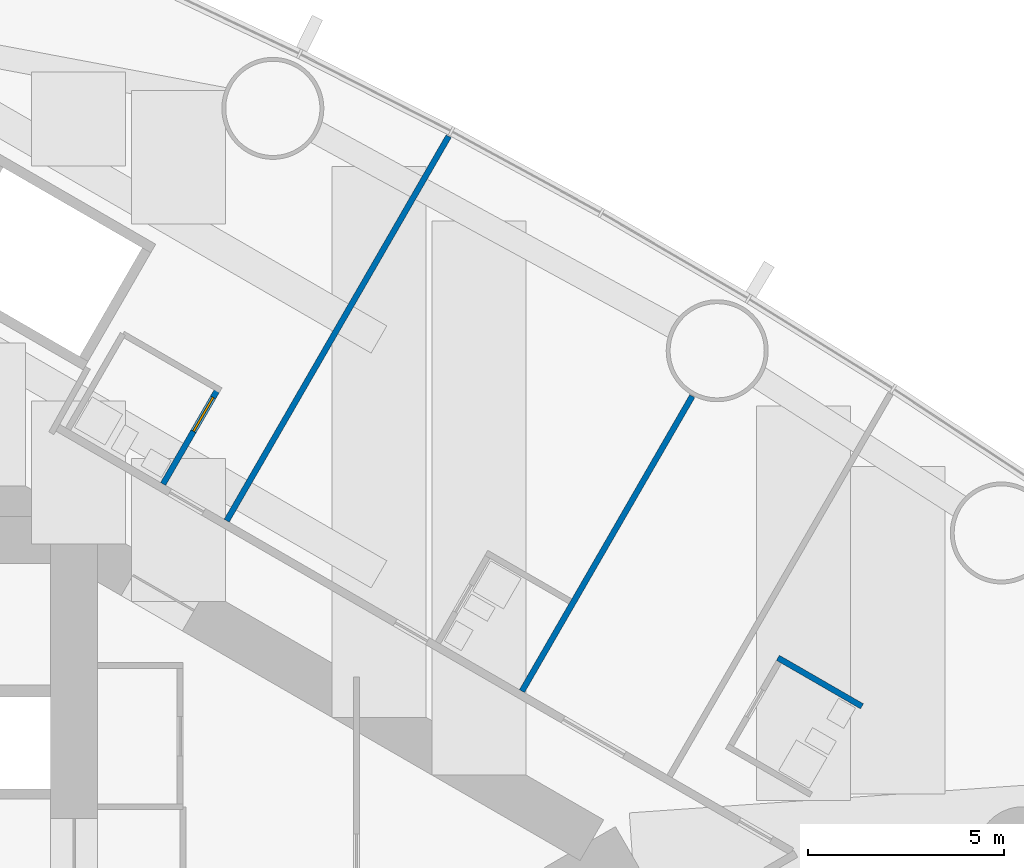
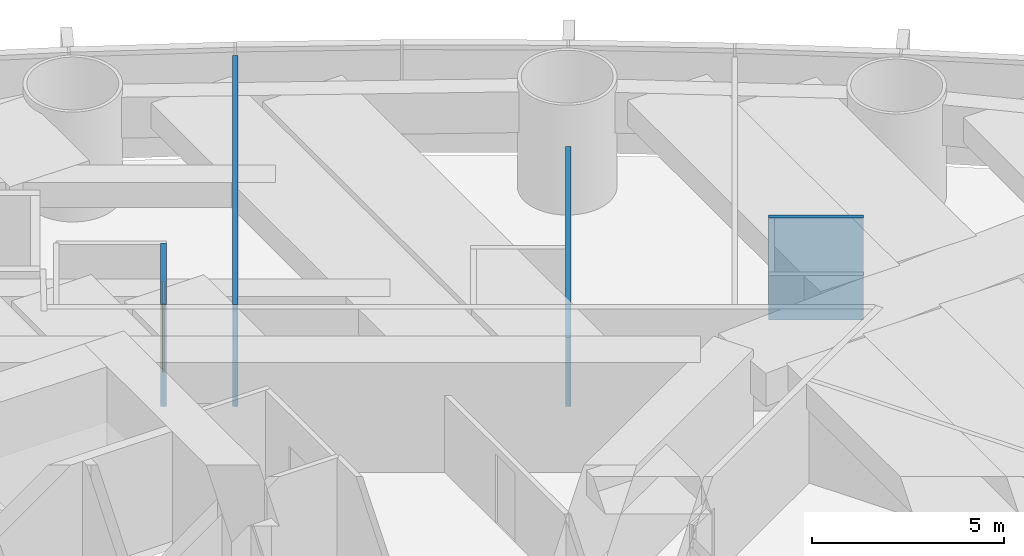
# One storey, part 15 of 18: 4 walls, 1 door, 1 opening.
"""IFC4 building model written with IfcOpenShell, lengths in metres."""

from ifc_helpers import new_model, si_unit, direction, frame, frame_2d, origin, place, context, subcontext, project, spatial, rectangle, extrude, material, layer, layer_set, type_object, element, fill, save


model = new_model("IFC4")

# Units and contexts
model_context = context("Model", 3, precision=1e-05, world=origin(), true_north=direction((0.0, 1.0)))
body_context = subcontext(model_context, "Body", "Model", "MODEL_VIEW")
ifc_project = project(units=[si_unit("LENGTHUNIT", "METRE"), si_unit("AREAUNIT", "SQUARE_METRE"), si_unit("VOLUMEUNIT", "CUBIC_METRE"), si_unit("PLANEANGLEUNIT", "RADIAN"), si_unit("MASSUNIT", "GRAM", prefix="KILO")], contexts=[model_context])

# Site, building, storey
site_placement = place(None, origin())
site = spatial("IfcSite", under=ifc_project, at=site_placement, CompositionType="ELEMENT")
building_placement = place(site_placement, origin())
building = spatial("IfcBuilding", under=site, at=building_placement, Name="Lancet Gate Hotel", CompositionType="ELEMENT")
storey_placement = place(building_placement, frame((0.0, 0.0, 139.60009765625)))
storey = spatial("IfcBuildingStorey", under=building, at=storey_placement, Name="L37", CompositionType="ELEMENT", Elevation=139.60009765625)

# Wall
ifc_material_1 = material(Name="Moisture resistant board partition")
ifc_layer_1 = layer(ifc_material_1, 0.14990234375)
ifc_layer_set_1 = layer_set([ifc_layer_1], Name="Bathroom wall 150")
wall_type_1 = type_object("IfcWallType", Name="Bathroom wall 150", PredefinedType="PARTITIONING", material=ifc_layer_set_1)
wall_1_placement = place(storey_placement, frame((55.2451171875, 4.998291015625, 0.0), z_axis=(0.0, 0.0, 1.0), x_axis=(0.866006523861, -0.500032699561, 0.0)))
element("IfcWall", 1, at=wall_1_placement, inside=storey, type_object=wall_type_1, Name="T2 bathroom wall 150 L37", PredefinedType="PARTITIONING", context=body_context, shape_type="SweptSolid", body=[
    extrude(rectangle(XDim=2.474853515625, YDim=0.14990234375, at=frame_2d((1.2373046875, 0.0))), origin(), (0.0, 0.0, 1.0), 3.25),
])

# Wall, opening, door
wall_2_placement = place(storey_placement, frame((39.56884765625, 9.43017578125, 0.0), z_axis=(0.0, 0.0, 1.0), x_axis=(0.49998411664, 0.866034573852, 0.0)))
wall_2 = element("IfcWall", 2, at=wall_2_placement, inside=storey, type_object=wall_type_1, Name="T2 bathroom wall 150 L37", PredefinedType="PARTITIONING", context=body_context, shape_type="SweptSolid", body=[
    extrude(rectangle(XDim=2.7998046875, YDim=0.14990234375, at=frame_2d((1.39990234375, 0.0))), origin(), (0.0, 0.0, 1.0), 3.25),
])
opening_placement = place(wall_2_placement, frame((1.550048828125, 0.0, 0.0)))
opening = element("IfcOpeningElement", 3, at=opening_placement, cuts=wall_2, Name="Opening 3762-B", PredefinedType="OPENING", context=body_context, shape_type="SweptSolid", body=[
    extrude(rectangle(XDim=1.0, YDim=2.199951171875, at=frame_2d((0.5, 1.10009765625))), frame((0.0, 0.0849609375, 0.0), z_axis=(0.0, -1.0, 0.0), x_axis=(1.0, 0.0, 0.0)), (0.0, 0.0, 1.0), 0.169921875),
])
ifc_material_2 = material(Name="Timber door set", Category="wood")
door_type = type_object("IfcDoorType", Name="Accessible en-suite door 1000", OperationType="SINGLE_SWING_RIGHT", PredefinedType="DOOR", material=ifc_material_2)
door_placement = place(opening_placement, origin())
door = element("IfcDoor", 4, at=door_placement, inside=storey, type_object=door_type, Name="3762-B", OperationType="SINGLE_SWING_RIGHT", OverallHeight=2.199951171875, OverallWidth=1.0, PredefinedType="DOOR", context=body_context, shape_type="SweptSolid", body=[
    extrude(rectangle(XDim=1.0, YDim=2.199951171875, at=frame_2d((0.5, 1.10009765625))), frame((0.0, 0.02490234375, 0.0), z_axis=(0.0, -1.0, 0.0), x_axis=(1.0, 0.0, 0.0)), (0.0, 0.0, 1.0), 0.050048828125),
])
fill(opening, door)

# Walls
ifc_material_3 = material(Name="Gypsum board partition")
ifc_layer_2 = layer(ifc_material_3, 0.14990234375)
ifc_layer_set_2 = layer_set([ifc_layer_2], Name="Party wall 150")
wall_type_2 = type_object("IfcWallType", Name="Party wall 150", PredefinedType="PARTITIONING", material=ifc_layer_set_2)
wall_3_placement = place(storey_placement, frame((41.18994140625, 8.494140625, 0.0), z_axis=(0.0, 0.0, 1.0), x_axis=(0.49999258054, 0.866029687369, 0.0)))
element("IfcWall", 5, at=wall_3_placement, inside=storey, type_object=wall_type_2, Name="T2 party wall 150 L37", PredefinedType="PARTITIONING", context=body_context, shape_type="SweptSolid", body=[
    extrude(rectangle(XDim=11.318115234375, YDim=0.14990234375, at=frame_2d((5.6591796875, 0.0))), origin(), (0.0, 0.0, 1.0), 3.25),
])
wall_4_placement = place(storey_placement, frame((48.718505859375, 4.1474609375, 0.0), z_axis=(0.0, 0.0, 1.0), x_axis=(0.499993328235, 0.866029255696, 0.0)))
element("IfcWall", 6, at=wall_4_placement, inside=storey, type_object=wall_type_2, Name="T2 party wall 150 L37", PredefinedType="PARTITIONING", context=body_context, shape_type="SweptSolid", body=[
    extrude(rectangle(XDim=8.68603515625, YDim=0.14990234375, at=frame_2d((4.343017578125, 0.0))), origin(), (0.0, 0.0, 1.0), 2.199951171875),
])

save(model, "model.ifc")
